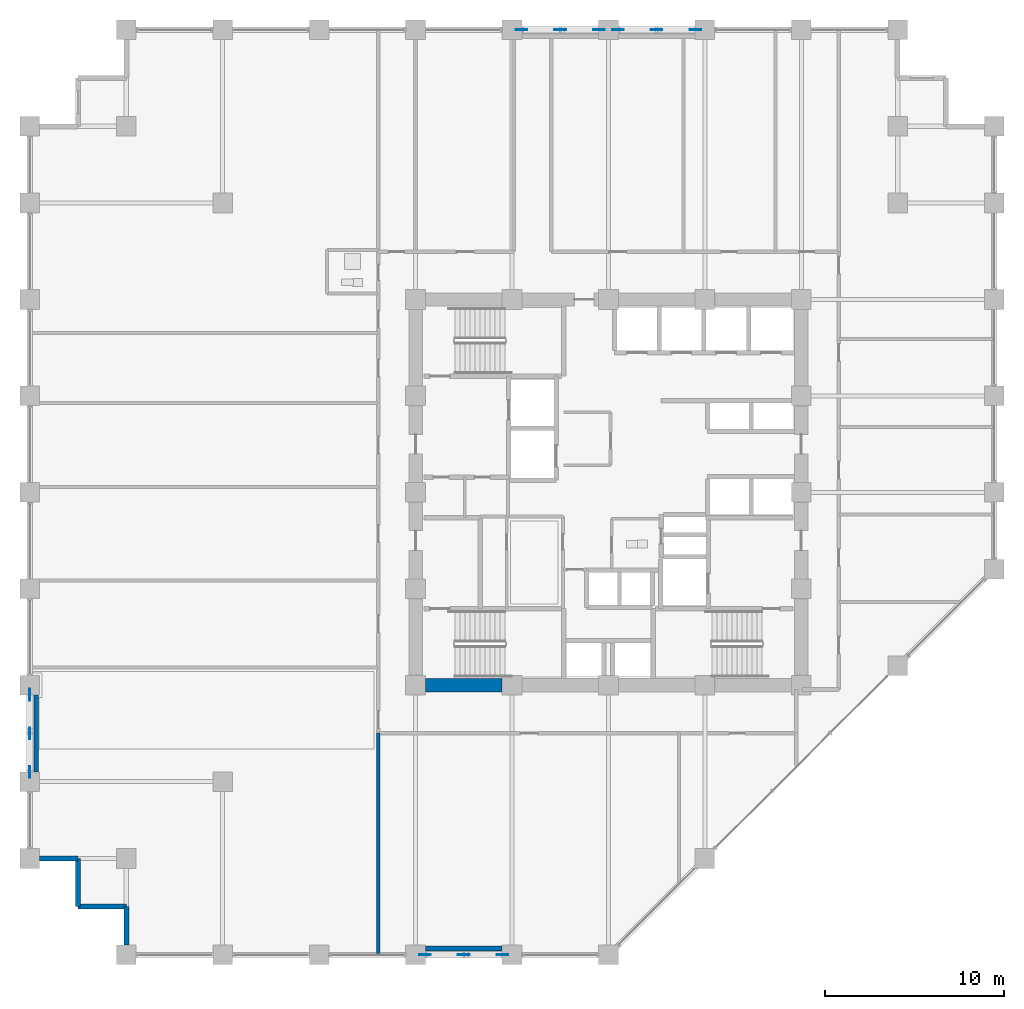
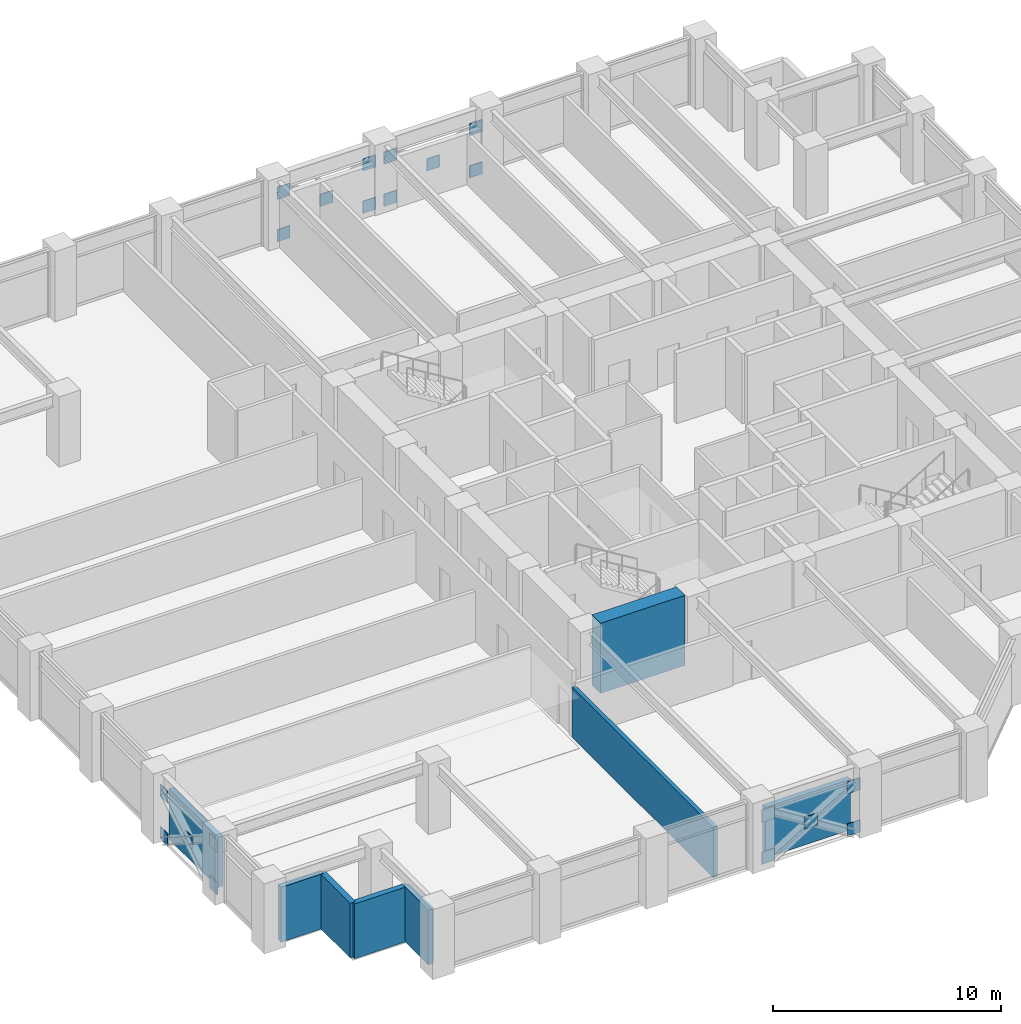
# One storey, part 18 of 25: 20 plates, 8 walls.
"""IFC4 building model written with IfcOpenShell, lengths in metres."""

from ifc_helpers import new_model, si_unit, direction, frame, frame_2d, origin, origin_2d, place, context, subcontext, project, spatial, rectangle, extrude, material, layer, layer_set, type_object, element, save


model = new_model("IFC4")

# Units and contexts
model_context = context("Model", 3, precision=1e-05, world=origin(), true_north=direction((0.0, 1.0)))
body_context = subcontext(model_context, "Body", "Model", "MODEL_VIEW")
ifc_project = project(units=[si_unit("LENGTHUNIT", "METRE"), si_unit("AREAUNIT", "SQUARE_METRE"), si_unit("VOLUMEUNIT", "CUBIC_METRE"), si_unit("PLANEANGLEUNIT", "RADIAN"), si_unit("MASSUNIT", "GRAM", prefix="KILO")], contexts=[model_context])

# Site, building, storey
site_placement = place(None, origin())
site = spatial("IfcSite", under=ifc_project, at=site_placement, CompositionType="ELEMENT")
building_placement = place(site_placement, origin())
building = spatial("IfcBuilding", under=site, at=building_placement, Name="Surkhivell Harbour Commons", CompositionType="ELEMENT")
storey_placement = place(building_placement, frame((0.0, 0.0, 113.25)))
storey = spatial("IfcBuildingStorey", under=building, at=storey_placement, Name="L29", CompositionType="ELEMENT", Elevation=113.25)

# Plates
ifc_material_1 = material(Name="Steel S460", Category="steel")
ifc_layer_1 = layer(ifc_material_1, 0.044921875)
ifc_layer_set_1 = layer_set([ifc_layer_1], Name="Steel S460")
plate_type = type_object("IfcPlateType", Name="PLT-GUS-650", PredefinedType="USERDEFINED", material=ifc_layer_set_1)
for number, where, z_axis, x_axis, name in (
    (1, (-4.864990234375, 25.89990234375, -0.08935546875), (0.0, 0.0, 1.0), (1.0, 0.0, 0.0), "L29 Perimeter Mega-Brace MB- Corner Gusset N-1"),
    (2, (-0.534912109375, 25.89990234375, -0.08935546875), (0.0, 0.0, 1.0), (1.0, 0.0, 0.0), "L29 Perimeter Mega-Brace MB- Corner Gusset N-2"),
    (3, (-4.864990234375, 25.89990234375, 2.170654296875), (0.0, 0.0, 1.0), (1.0, 0.0, 0.0), "L29 Perimeter Mega-Brace MB- Corner Gusset N-3"),
    (4, (-0.534912109375, 25.89990234375, 2.170654296875), (0.0, 0.0, 1.0), (1.0, 0.0, 0.0), "L29 Perimeter Mega-Brace MB- Corner Gusset N-4"),
    (5, (-2.699951171875, 25.89990234375, 1.04052734375), (0.0, 0.0, 1.0), (1.0, 0.0, 0.0), "L29 Perimeter Mega-Brace MB- Central Crossing Gusset N"),
    (6, (0.534912109375, 25.89990234375, -0.08935546875), (0.0, 0.0, 1.0), (1.0, 0.0, 0.0), "L29 Perimeter Mega-Brace MB- Corner Gusset N2-1"),
    (7, (4.864990234375, 25.89990234375, -0.08935546875), (0.0, 0.0, 1.0), (1.0, 0.0, 0.0), "L29 Perimeter Mega-Brace MB- Corner Gusset N2-2"),
    (8, (0.534912109375, 25.89990234375, 2.170654296875), (0.0, 0.0, 1.0), (1.0, 0.0, 0.0), "L29 Perimeter Mega-Brace MB- Corner Gusset N2-3"),
    (9, (4.864990234375, 25.89990234375, 2.170654296875), (0.0, 0.0, 1.0), (1.0, 0.0, 0.0), "L29 Perimeter Mega-Brace MB- Corner Gusset N2-4"),
    (10, (2.699951171875, 25.89990234375, 1.04052734375), (0.0, 0.0, 1.0), (1.0, 0.0, 0.0), "L29 Perimeter Mega-Brace MB- Central Crossing Gusset N2"),
    (11, (-10.264892578125, -25.89990234375, -0.08935546875), (0.0, 0.0, 1.0), (1.0, 0.0, 0.0), "L29 Perimeter Mega-Brace MB- Corner Gusset S-1"),
    (12, (-5.93505859375, -25.89990234375, -0.08935546875), (0.0, 0.0, 1.0), (1.0, 0.0, 0.0), "L29 Perimeter Mega-Brace MB- Corner Gusset S-2"),
    (13, (-10.264892578125, -25.89990234375, 2.170654296875), (0.0, 0.0, 1.0), (1.0, 0.0, 0.0), "L29 Perimeter Mega-Brace MB- Corner Gusset S-3"),
    (14, (-5.93505859375, -25.89990234375, 2.170654296875), (0.0, 0.0, 1.0), (1.0, 0.0, 0.0), "L29 Perimeter Mega-Brace MB- Corner Gusset S-4"),
    (15, (-8.10009765625, -25.89990234375, 1.04052734375), (0.0, 0.0, 1.0), (1.0, 0.0, 0.0), "L29 Perimeter Mega-Brace MB- Central Crossing Gusset S"),
    (16, (-32.39990234375, -15.6650390625, -0.08935546875), (0.0, 0.0, 1.0), (0.0, 1.0, 0.0), "L29 Perimeter Mega-Brace MB- Corner Gusset W-1"),
    (17, (-32.39990234375, -11.3349609375, -0.08935546875), (0.0, 0.0, 1.0), (0.0, 1.0, 0.0), "L29 Perimeter Mega-Brace MB- Corner Gusset W-2"),
    (18, (-32.39990234375, -15.6650390625, 2.170654296875), (0.0, 0.0, 1.0), (0.0, 1.0, 0.0), "L29 Perimeter Mega-Brace MB- Corner Gusset W-3"),
    (19, (-32.39990234375, -11.3349609375, 2.170654296875), (0.0, 0.0, 1.0), (0.0, 1.0, 0.0), "L29 Perimeter Mega-Brace MB- Corner Gusset W-4"),
    (20, (-32.39990234375, -13.5, 1.04052734375), (0.0, 0.0, 1.0), (0.0, 1.0, 0.0), "L29 Perimeter Mega-Brace MB- Central Crossing Gusset W"),
):
    element("IfcPlate", number, at=place(storey_placement, frame(where, z_axis=z_axis, x_axis=x_axis)), inside=storey, type_object=plate_type, Name=name, ObjectType="GUSSET_PLATE", PredefinedType="USERDEFINED", context=body_context, shape_type="SweptSolid", body=[
        extrude(rectangle(XDim=0.64990234375, YDim=0.044921875, at=origin_2d()), origin(), (0.0, 0.0, 1.0), 0.64990234375),
    ])

# Walls
ifc_material_2 = material(Name="Concrete C60/75", Category="concrete")
ifc_layer_2 = layer(ifc_material_2, 0.75)
ifc_layer_set_2 = layer_set([ifc_layer_2], Name="Concrete C60/75")
wall_type_1 = type_object("IfcWallType", Name="WAL-CORE-750", PredefinedType="SHEAR", material=ifc_layer_set_2)
wall_1_placement = place(storey_placement, frame((-10.239990234375, -10.800048828125, 0.0), z_axis=(0.0, 0.0, 1.0), x_axis=(1.0, 0.0, 0.0)))
element("IfcWall", 21, at=wall_1_placement, inside=storey, type_object=wall_type_1, Name="L29 Core Shear Wall South 1", PredefinedType="SHEAR", context=body_context, shape_type="SweptSolid", body=[
    extrude(rectangle(XDim=4.280029296875, YDim=0.75, at=frame_2d((2.14013671875, 0.0))), origin(), (0.0, 0.0, 1.0), 3.75),
])
ifc_material_3 = material(Name="Pale-metal insulated precast concrete C45/55", Category="concrete")
ifc_layer_3 = layer(ifc_material_3, 0.260009765625)
ifc_layer_set_3 = layer_set([ifc_layer_3], Name="Pale-metal insulated precast concrete C45/55")
wall_type_2 = type_object("IfcWallType", Name="WAL-EXT-MTL260", PredefinedType="STANDARD", material=ifc_layer_set_3)
wall_2_placement = place(storey_placement, frame((-10.251953125, -25.5400390625, 0.0), z_axis=(0.0, 0.0, 1.0), x_axis=(1.0, 0.0, 0.0)))
element("IfcWall", 22, at=wall_2_placement, inside=storey, type_object=wall_type_2, Name="L29 Braced-Bay Insulated Spandrel Backing S", PredefinedType="STANDARD", context=body_context, shape_type="SweptSolid", body=[
    extrude(rectangle(XDim=4.303955078125, YDim=0.260009765625, at=frame_2d((2.15185546875, 0.0))), origin(), (0.0, 0.0, 1.0), 2.698974609375),
])
wall_3_placement = place(storey_placement, frame((-32.0400390625, -11.347900390625, 0.0), z_axis=(0.0, 0.0, 1.0), x_axis=(0.0, -1.0, 0.0)))
element("IfcWall", 23, at=wall_3_placement, inside=storey, type_object=wall_type_2, Name="L29 Braced-Bay Insulated Spandrel Backing W", PredefinedType="STANDARD", context=body_context, shape_type="SweptSolid", body=[
    extrude(rectangle(XDim=4.30419921875, YDim=0.260009765625, at=frame_2d((2.152099609375, 0.0))), origin(), (0.0, 0.0, 1.0), 2.698974609375),
])
ifc_material_4 = material(Name="Terracotta-clad reinforced concrete C45/55", Category="masonry")
ifc_layer_4 = layer(ifc_material_4, 0.280029296875)
ifc_layer_set_4 = layer_set([ifc_layer_4], Name="Terracotta-clad reinforced concrete C45/55")
wall_type_3 = type_object("IfcWallType", Name="WAL-EXT-TER280", PredefinedType="STANDARD", material=ifc_layer_set_4)
wall_4_placement = place(storey_placement, frame((-31.85205078125, -20.5, 0.0), z_axis=(0.0, 0.0, 1.0), x_axis=(1.0, 0.0, 0.0)))
element("IfcWall", 24, at=wall_4_placement, inside=storey, type_object=wall_type_3, Name="L29 Serrated Corner Facade Wall 13", PredefinedType="STANDARD", context=body_context, shape_type="SweptSolid", body=[
    extrude(rectangle(XDim=2.152099609375, YDim=0.280029296875, at=frame_2d((1.076171875, 0.0))), origin(), (0.0, 0.0, 1.0), 2.93310546875),
])
for number, where, z_axis, x_axis, name in (
    (25, (-29.699951171875, -20.5, 0.0), (0.0, 0.0, 1.0), (0.0, -1.0, 0.0), "L29 Serrated Corner Facade Wall 14"),
    (26, (-29.699951171875, -23.199951171875, 0.0), (0.0, 0.0, 1.0), (1.0, 0.0, 0.0), "L29 Serrated Corner Facade Wall 15"),
):
    element("IfcWall", number, at=place(storey_placement, frame(where, z_axis=z_axis, x_axis=x_axis)), inside=storey, type_object=wall_type_3, Name=name, PredefinedType="STANDARD", context=body_context, shape_type="SweptSolid", body=[
        extrude(rectangle(XDim=2.699951171875, YDim=0.280029296875, at=frame_2d((1.35009765625, 0.0))), origin(), (0.0, 0.0, 1.0), 2.93310546875),
    ])
wall_5_placement = place(storey_placement, frame((-27.0, -23.199951171875, 0.0), z_axis=(0.0, 0.0, 1.0), x_axis=(0.0, -1.0, 0.0)))
element("IfcWall", 27, at=wall_5_placement, inside=storey, type_object=wall_type_3, Name="L29 Serrated Corner Facade Wall 16", PredefinedType="STANDARD", context=body_context, shape_type="SweptSolid", body=[
    extrude(rectangle(XDim=2.152099609375, YDim=0.280029296875, at=frame_2d((1.076171875, 0.0))), origin(), (0.0, 0.0, 1.0), 2.93310546875),
])
ifc_material_5 = material(Name="Autoclaved aerated concrete blockwork and fire plaster", Category="masonry")
ifc_layer_5 = layer(ifc_material_5, 0.199951171875)
ifc_layer_set_5 = layer_set([ifc_layer_5], Name="Autoclaved aerated concrete blockwork and fire plaster")
wall_type_4 = type_object("IfcWallType", Name="WAL-INT-200", PredefinedType="PARTITIONING", material=ifc_layer_set_5)
wall_6_placement = place(storey_placement, frame((-12.89990234375, -25.840087890625, 0.0), z_axis=(0.0, 0.0, 1.0), x_axis=(0.0, 1.0, 0.0)))
element("IfcWall", 28, at=wall_6_placement, inside=storey, type_object=wall_type_4, Name="L29 South-West Wing Corner Divider", PredefinedType="PARTITIONING", context=body_context, shape_type="SweptSolid", body=[
    extrude(rectangle(XDim=12.360107421875, YDim=0.199951171875, at=frame_2d((6.18017578125, 0.0))), origin(), (0.0, 0.0, 1.0), 2.698974609375),
])

save(model, "model.ifc")
